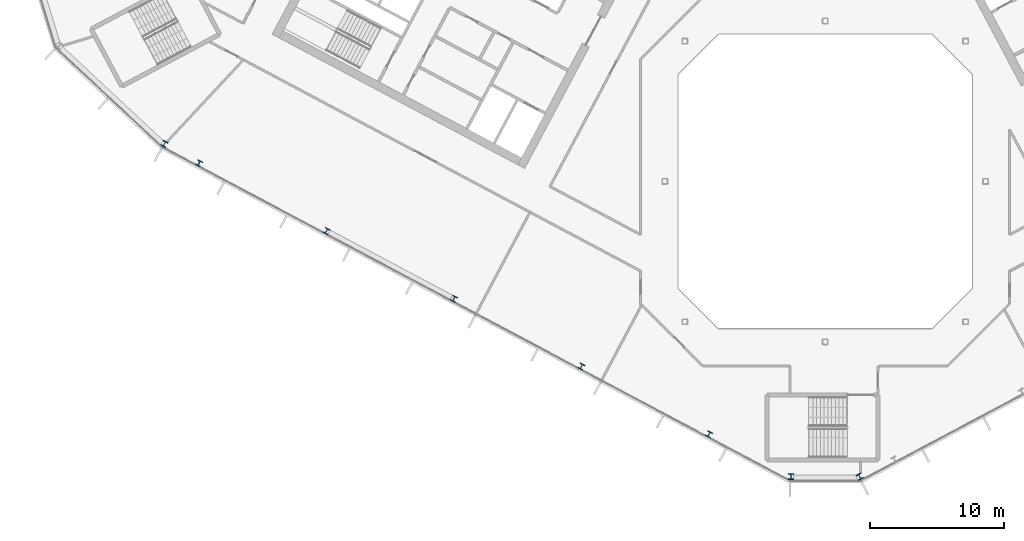
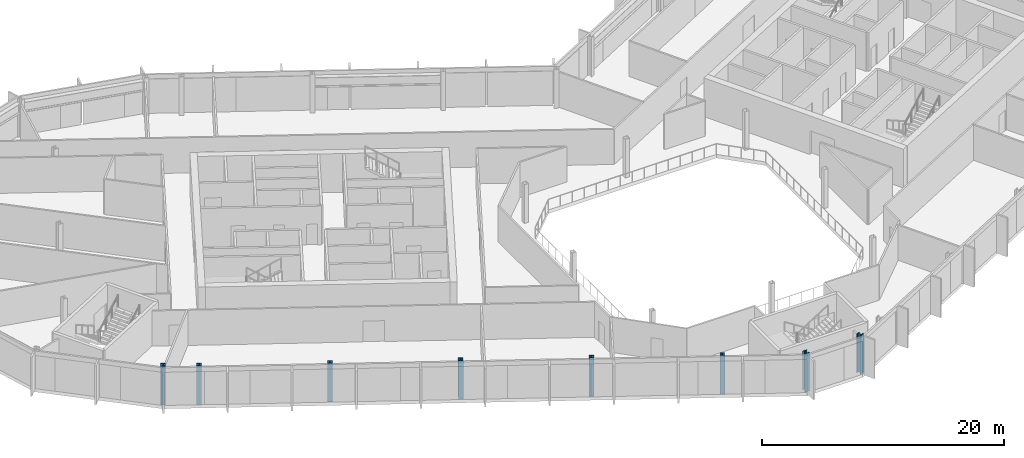
# One storey, part 1 of 26: 8 columns.
"""IFC4 building model written with IfcOpenShell, lengths in metres."""

import ifcopenshell
import ifcopenshell.guid

model = None  # the IFC model being written
_history = None  # IfcOwnerHistory: only IFC2X3 demands one
_inside = {}  # id of a spatial element -> (the spatial element, [elements in it])
_under = {}  # id of a project, library or spatial element -> (it, [spatial elements below it])
_declared = {}  # id of a project -> (the project, [libraries it declares])
_typed = {}  # id of a type object -> (the type object, [elements of that type])
_made_of = {}  # id of a material, layer set ... -> (it, [elements and type objects made of it])


def new_model(schema):
    """Start an empty IFC model of exactly this schema.

    Asked for "IFC4X3", IfcOpenShell would pick the latest addendum, in which some entities
    have other attributes; the version numbers below select the first issue.
    IFC2X3 requires an IfcOwnerHistory on every rooted entity: one is made here for all.
    """
    global model, _history
    if schema == "IFC4X3":
        model = ifcopenshell.file(schema_version=(4, 3, 0, 0))
    else:
        model = ifcopenshell.file(schema=schema)
    _inside.clear()
    _under.clear()
    _declared.clear()
    _typed.clear()
    _made_of.clear()
    _history = None
    if model.schema == "IFC2X3":
        org = make("IfcOrganization", Name="unknown")
        user = make(
            "IfcPersonAndOrganization",
            ThePerson=make("IfcPerson", FamilyName="unknown"),
            TheOrganization=org,
        )
        app = make(
            "IfcApplication",
            ApplicationDeveloper=org,
            Version="unknown",
            ApplicationFullName="unknown",
            ApplicationIdentifier="unknown",
        )
        _history = make(
            "IfcOwnerHistory",
            OwningUser=user,
            OwningApplication=app,
            ChangeAction="ADDED",
            CreationDate=0,
        )
    return model


def make(cls, **values):
    """One entity of the class cls with the attributes given. An attribute that is None is left unset."""
    return model.create_entity(
        cls, **{name: value for name, value in values.items() if value is not None}
    )


def rooted(cls, **values):
    """An entity with a GlobalId (a new one), such as an element, a storey or a relation."""
    return make(cls, GlobalId=ifcopenshell.guid.new(), OwnerHistory=_history, **values)


def si_unit(unit_type, name, prefix=None):
    """IfcSIUnit, for example si_unit("LENGTHUNIT", "METRE", prefix="MILLI")."""
    return make("IfcSIUnit", UnitType=unit_type, Prefix=prefix, Name=name)


def assignment(units):
    """IfcUnitAssignment: the units of a project."""
    return None if units is None else make("IfcUnitAssignment", Units=units)


def point(xyz):
    """IfcCartesianPoint."""
    return None if xyz is None else make("IfcCartesianPoint", Coordinates=xyz)


def direction(xyz):
    """IfcDirection."""
    return None if xyz is None else make("IfcDirection", DirectionRatios=xyz)


def frame(location, z_axis=None, x_axis=None):
    """IfcAxis2Placement3D, a coordinate frame: its origin and axes. An axis left out is left unset."""
    return make(
        "IfcAxis2Placement3D",
        Location=point(location),
        Axis=direction(z_axis),
        RefDirection=direction(x_axis),
    )


def frame_2d(location, x_axis=None):
    """IfcAxis2Placement2D, a coordinate frame in the plane: its origin and x axis."""
    return make(
        "IfcAxis2Placement2D", Location=point(location), RefDirection=direction(x_axis)
    )


def origin():
    """The frame at (0, 0, 0) with its axes left unset."""
    return frame((0.0, 0.0, 0.0))


def origin_2d():
    """The frame at (0, 0) in the plane with its x axis left unset."""
    return frame_2d((0.0, 0.0))


def place(relative_to, where):
    """IfcLocalPlacement: puts the frame where relative to a parent placement (None: the world)."""
    return make(
        "IfcLocalPlacement", PlacementRelTo=relative_to, RelativePlacement=where
    )


def context(
    kind, dimensions, precision=None, world=None, true_north=None, identifier=None
):
    """IfcGeometricRepresentationContext, for example the 3D "Model" context."""
    return make(
        "IfcGeometricRepresentationContext",
        ContextIdentifier=identifier,
        ContextType=kind,
        CoordinateSpaceDimension=dimensions,
        Precision=precision,
        WorldCoordinateSystem=world,
        TrueNorth=true_north,
    )


def subcontext(parent, identifier, kind, view, scale=None):
    """IfcGeometricRepresentationSubContext, for example "Body" below "Model"."""
    return make(
        "IfcGeometricRepresentationSubContext",
        ContextIdentifier=identifier,
        ContextType=kind,
        ParentContext=parent,
        TargetScale=scale,
        TargetView=view,
    )


def project(units=None, contexts=None):
    """IfcProject with its units and contexts."""
    return rooted(
        "IfcProject",
        Name="project",
        RepresentationContexts=contexts,
        UnitsInContext=assignment(units),
    )


def spatial(cls, under=None, at=None, **own):
    """A site, building, storey or space (cls), placed at a placement, below another one or the project."""
    s = rooted(cls, ObjectPlacement=at, **own)
    if under is not None:
        _under.setdefault(under.id(), (under, []))[1].append(s)
    return s


def profile(cls, at=None, kind="AREA", **sizes):
    """A parametric profile (cls). Its sizes go by their IFC names, for example OverallWidth=200.0."""
    return make(cls, ProfileType=kind, Position=at, **sizes)


def i_section(**sizes):
    """IfcIShapeProfileDef."""
    return profile("IfcIShapeProfileDef", **sizes)


def extrude(swept, where, along, depth):
    """IfcExtrudedAreaSolid: the profile swept, set in the frame where, extruded along a direction by depth."""
    return make(
        "IfcExtrudedAreaSolid",
        SweptArea=swept,
        Position=where,
        ExtrudedDirection=direction(along),
        Depth=depth,
    )


def shape(context_of_items, identifier, shape_type, items):
    """IfcShapeRepresentation: the items that make up one representation, for example the "Body"."""
    return make(
        "IfcShapeRepresentation",
        ContextOfItems=context_of_items,
        RepresentationIdentifier=identifier,
        RepresentationType=shape_type,
        Items=items,
    )


def material(Name=None, Category=None):
    """IfcMaterial."""
    return make("IfcMaterial", Name=Name, Category=Category)


def material_profile(
    of_material, cross_section, Name=None, Category=None, Priority=None
):
    """IfcMaterialProfile: a cross section and its material."""
    return make(
        "IfcMaterialProfile",
        Name=Name,
        Material=of_material,
        Profile=cross_section,
        Priority=Priority,
        Category=Category,
    )


def profile_set(profiles, Name=None, composite=None):
    """IfcMaterialProfileSet."""
    return make(
        "IfcMaterialProfileSet",
        Name=Name,
        MaterialProfiles=profiles,
        CompositeProfile=composite,
    )


def made_of(thing, what):
    """Note that an element or type object is made of a material, layer set ...; save() writes the relation."""
    if what is not None:
        _made_of.setdefault(what.id(), (what, []))[1].append(thing)
    return thing


def type_object(cls, material=None, **own):
    """A type object (cls), such as IfcWallType, which elements share."""
    return made_of(rooted(cls, **own), material)


def element(
    cls,
    number,
    at=None,
    inside=None,
    cuts=None,
    type_object=None,
    material=None,
    context=None,
    identifier="Body",
    shape_type=None,
    held_by="IfcProductDefinitionShape",
    body=None,
    shapes=None,
    **own,
):
    """One element of the class cls, such as IfcWall. Its Tag is "e" and its number.

    at: its placement. inside: the storey or other place that contains it. cuts: it is an
    opening in that element (IfcRelVoidsElement). A single representation is given by context,
    identifier, shape_type and body (its items); several are given by shapes. held_by: the class
    of the entity that holds the representations. save() writes the other relations.
    """
    e = rooted(cls, Tag="e%d" % number, ObjectPlacement=at, **own)
    if body is not None:
        shapes = [shape(context, identifier, shape_type, body)]
    if shapes is not None:
        e.Representation = make(held_by, Representations=shapes)
    if inside is not None:
        _inside.setdefault(inside.id(), (inside, []))[1].append(e)
    if cuts is not None:
        rooted(
            "IfcRelVoidsElement", RelatingBuildingElement=cuts, RelatedOpeningElement=e
        )
    if type_object is not None:
        _typed.setdefault(type_object.id(), (type_object, []))[1].append(e)
    return made_of(e, material)


def aggregate(whole, parts):
    """IfcRelAggregates: a whole, such as a stair, and the parts it consists of."""
    return rooted("IfcRelAggregates", RelatingObject=whole, RelatedObjects=parts)


def save(model, path):
    """Write the relations noted so far, then the file.

    IfcRelAggregates (storeys below a building ...), IfcRelContainedInSpatialStructure (elements
    in a storey), IfcRelDefinesByType, IfcRelAssociatesMaterial and IfcRelDeclares: one each for
    every whole, place, type object, material and project.
    """
    for whole, parts in _under.values():
        aggregate(whole, parts)
    for where, things in _inside.values():
        rooted(
            "IfcRelContainedInSpatialStructure",
            RelatedElements=things,
            RelatingStructure=where,
        )
    for kind, things in _typed.values():
        rooted("IfcRelDefinesByType", RelatedObjects=things, RelatingType=kind)
    for what, things in _made_of.values():
        rooted("IfcRelAssociatesMaterial", RelatedObjects=things, RelatingMaterial=what)
    for by, libraries in _declared.values():
        rooted("IfcRelDeclares", RelatingContext=by, RelatedDefinitions=libraries)
    model.write(path)


model = new_model("IFC4")

# Units and contexts
model_context = context("Model", 3, precision=1e-05, world=origin(), true_north=direction((0.0, 1.0)))
body_context = subcontext(model_context, "Body", "Model", "MODEL_VIEW")
ifc_project = project(units=[si_unit("LENGTHUNIT", "METRE"), si_unit("AREAUNIT", "SQUARE_METRE"), si_unit("VOLUMEUNIT", "CUBIC_METRE"), si_unit("PLANEANGLEUNIT", "RADIAN"), si_unit("MASSUNIT", "GRAM", prefix="KILO")], contexts=[model_context])

# Site, building, storey
site_placement = place(None, origin())
site = spatial("IfcSite", under=ifc_project, at=site_placement, CompositionType="ELEMENT")
building_placement = place(site_placement, origin())
building = spatial("IfcBuilding", under=site, at=building_placement, Name="Cormorant Relay Tower", CompositionType="ELEMENT")
storey_placement = place(building_placement, frame((0.0, 0.0, 197.39990234375)))
storey = spatial("IfcBuildingStorey", under=building, at=storey_placement, Name="L42", CompositionType="ELEMENT", Elevation=197.39990234375)

# Columns
ifc_material_1 = material(Name="Steel ASTM A992 (Fy 345 MPa)", Category="steel")
ifc_material_profile_1 = material_profile(ifc_material_1, i_section(OverallWidth=0.40380859375, OverallDepth=0.406494140625, WebThickness=0.027099609375, FlangeThickness=0.043701171875, FilletRadius=0.01513671875, at=origin_2d()), Name="W360x347")
ifc_profile_set_1 = profile_set([ifc_material_profile_1], Name="Steel ASTM A992 (Fy 345 MPa)")
column_type_1 = type_object("IfcColumnType", Name="Column W360x347", PredefinedType="COLUMN", material=ifc_profile_set_1)
for number, where, z_axis, x_axis, name in (
    (1, (-8.700927734375, -18.919921875, 0.0), (0.0, 0.0, 1.0), (0.882947592859, -0.469471562786, 0.0), "Column L42-004"),
    (2, (-18.237060546875, -13.85009765625, 0.0), (0.0, 0.0, 1.0), (0.882947592859, -0.469471562786, 0.0), "Column L42-006"),
    (3, (-27.77197265625, -8.779052734375, 0.0), (0.0, 0.0, 1.0), (0.882947592859, -0.469471562786, 0.0), "Column L42-011"),
    (4, (-37.30810546875, -3.708984375, 0.0), (0.0, 0.0, 1.0), (0.882947592859, -0.469471562786, 0.0), "Column L42-013"),
    (5, (-46.843994140625, 1.361083984375, 0.0), (0.0, 0.0, 1.0), (0.882947592859, -0.469471562786, 0.0), "Column L42-017"),
):
    element("IfcColumn", number, at=place(storey_placement, frame(where, z_axis=z_axis, x_axis=x_axis)), inside=storey, type_object=column_type_1, Name=name, PredefinedType="COLUMN", context=body_context, shape_type="SweptSolid", body=[
        extrude(i_section(OverallWidth=0.40380859375, OverallDepth=0.406494140625, WebThickness=0.027099609375, FlangeThickness=0.043701171875, FilletRadius=0.01513671875, at=origin_2d()), origin(), (0.0, 0.0, 1.0), 3.900146484375),
    ])
ifc_material_2 = material(Name="Steel ASTM A992 (Fy 345 MPa)", Category="steel")
ifc_material_profile_2 = material_profile(ifc_material_2, i_section(OverallWidth=0.41162109375, OverallDepth=0.434326171875, WebThickness=0.035888671875, FlangeThickness=0.057373046875, FilletRadius=0.01513671875, at=origin_2d()), Name="W360x463")
ifc_profile_set_2 = profile_set([ifc_material_profile_2], Name="Steel ASTM A992 (Fy 345 MPa)")
column_type_2 = type_object("IfcColumnType", Name="Column W360x463", PredefinedType="COLUMN", material=ifc_profile_set_2)
for number, where, z_axis, x_axis, name in (
    (6, (-2.575927734375, -22.083984375, 0.0), (0.0, 0.0, 1.0), (1.0, 0.0, 0.0), "Column L42-001"),
    (7, (2.575927734375, -22.083984375, 0.0), (0.0, 0.0, 1.0), (0.882947592859, 0.469471562786, 0.0), "Column L42-002"),
    (8, (-49.43505859375, 2.803955078125, 0.0), (0.0, 0.0, 1.0), (0.882947592859, -0.469471562786, 0.0), "Column L42-018"),
):
    element("IfcColumn", number, at=place(storey_placement, frame(where, z_axis=z_axis, x_axis=x_axis)), inside=storey, type_object=column_type_2, Name=name, PredefinedType="COLUMN", context=body_context, shape_type="SweptSolid", body=[
        extrude(i_section(OverallWidth=0.41162109375, OverallDepth=0.434326171875, WebThickness=0.035888671875, FlangeThickness=0.057373046875, FilletRadius=0.01513671875, at=origin_2d()), origin(), (0.0, 0.0, 1.0), 3.900146484375),
    ])

save(model, "model.ifc")
